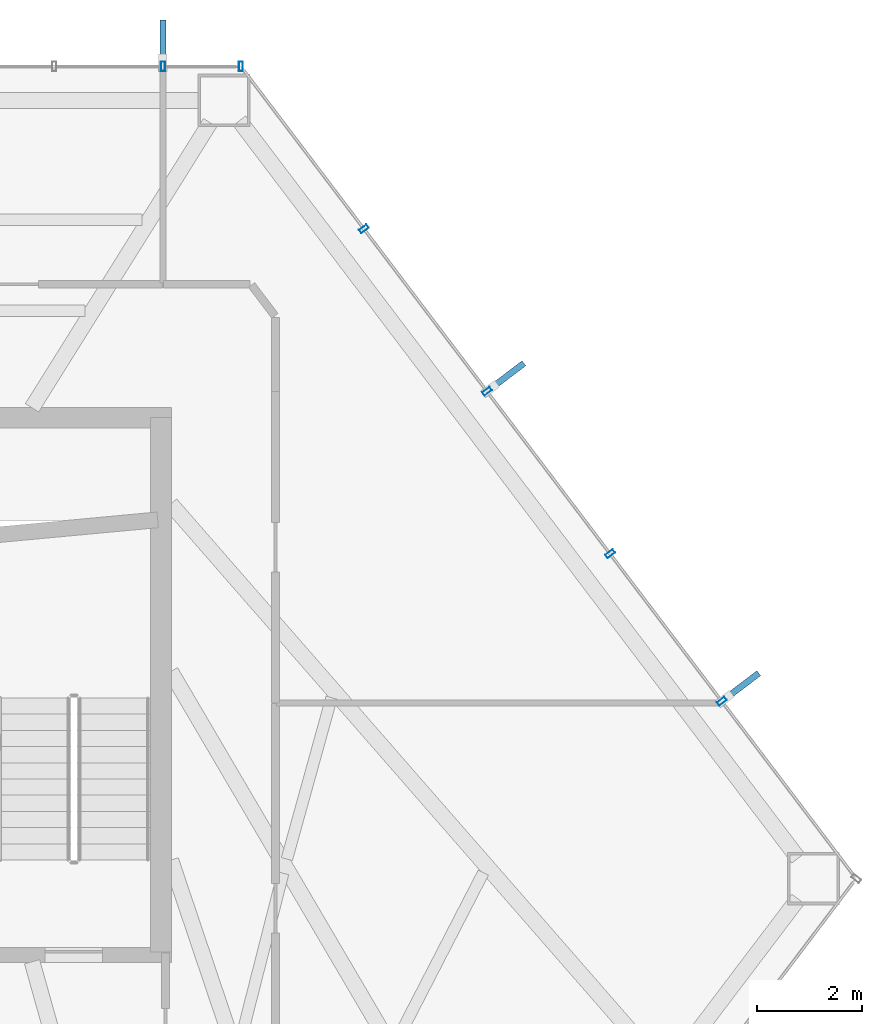
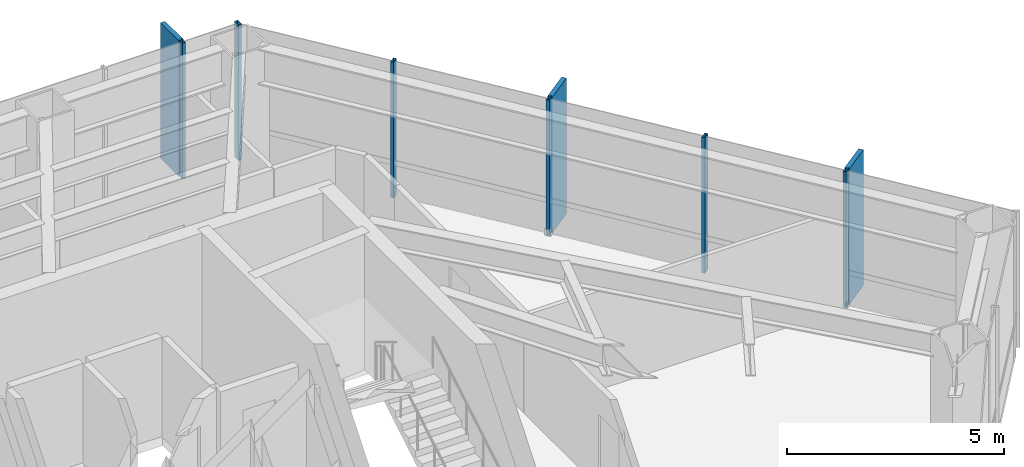
# One storey, part 21 of 26: 9 members, 2 elements without a shape of their own.
"""IFC4 building model written with IfcOpenShell, lengths in metres."""

import ifcopenshell
import ifcopenshell.guid

model = None  # the IFC model being written
_history = None  # IfcOwnerHistory: only IFC2X3 demands one
_inside = {}  # id of a spatial element -> (the spatial element, [elements in it])
_under = {}  # id of a project, library or spatial element -> (it, [spatial elements below it])
_declared = {}  # id of a project -> (the project, [libraries it declares])
_typed = {}  # id of a type object -> (the type object, [elements of that type])
_made_of = {}  # id of a material, layer set ... -> (it, [elements and type objects made of it])


def new_model(schema):
    """Start an empty IFC model of exactly this schema.

    Asked for "IFC4X3", IfcOpenShell would pick the latest addendum, in which some entities
    have other attributes; the version numbers below select the first issue.
    IFC2X3 requires an IfcOwnerHistory on every rooted entity: one is made here for all.
    """
    global model, _history
    if schema == "IFC4X3":
        model = ifcopenshell.file(schema_version=(4, 3, 0, 0))
    else:
        model = ifcopenshell.file(schema=schema)
    _inside.clear()
    _under.clear()
    _declared.clear()
    _typed.clear()
    _made_of.clear()
    _history = None
    if model.schema == "IFC2X3":
        org = make("IfcOrganization", Name="unknown")
        user = make(
            "IfcPersonAndOrganization",
            ThePerson=make("IfcPerson", FamilyName="unknown"),
            TheOrganization=org,
        )
        app = make(
            "IfcApplication",
            ApplicationDeveloper=org,
            Version="unknown",
            ApplicationFullName="unknown",
            ApplicationIdentifier="unknown",
        )
        _history = make(
            "IfcOwnerHistory",
            OwningUser=user,
            OwningApplication=app,
            ChangeAction="ADDED",
            CreationDate=0,
        )
    return model


def make(cls, **values):
    """One entity of the class cls with the attributes given. An attribute that is None is left unset."""
    return model.create_entity(
        cls, **{name: value for name, value in values.items() if value is not None}
    )


def rooted(cls, **values):
    """An entity with a GlobalId (a new one), such as an element, a storey or a relation."""
    return make(cls, GlobalId=ifcopenshell.guid.new(), OwnerHistory=_history, **values)


def si_unit(unit_type, name, prefix=None):
    """IfcSIUnit, for example si_unit("LENGTHUNIT", "METRE", prefix="MILLI")."""
    return make("IfcSIUnit", UnitType=unit_type, Prefix=prefix, Name=name)


def assignment(units):
    """IfcUnitAssignment: the units of a project."""
    return None if units is None else make("IfcUnitAssignment", Units=units)


def point(xyz):
    """IfcCartesianPoint."""
    return None if xyz is None else make("IfcCartesianPoint", Coordinates=xyz)


def direction(xyz):
    """IfcDirection."""
    return None if xyz is None else make("IfcDirection", DirectionRatios=xyz)


def frame(location, z_axis=None, x_axis=None):
    """IfcAxis2Placement3D, a coordinate frame: its origin and axes. An axis left out is left unset."""
    return make(
        "IfcAxis2Placement3D",
        Location=point(location),
        Axis=direction(z_axis),
        RefDirection=direction(x_axis),
    )


def frame_2d(location, x_axis=None):
    """IfcAxis2Placement2D, a coordinate frame in the plane: its origin and x axis."""
    return make(
        "IfcAxis2Placement2D", Location=point(location), RefDirection=direction(x_axis)
    )


def origin():
    """The frame at (0, 0, 0) with its axes left unset."""
    return frame((0.0, 0.0, 0.0))


def origin_2d():
    """The frame at (0, 0) in the plane with its x axis left unset."""
    return frame_2d((0.0, 0.0))


def place(relative_to, where):
    """IfcLocalPlacement: puts the frame where relative to a parent placement (None: the world)."""
    return make(
        "IfcLocalPlacement", PlacementRelTo=relative_to, RelativePlacement=where
    )


def context(
    kind, dimensions, precision=None, world=None, true_north=None, identifier=None
):
    """IfcGeometricRepresentationContext, for example the 3D "Model" context."""
    return make(
        "IfcGeometricRepresentationContext",
        ContextIdentifier=identifier,
        ContextType=kind,
        CoordinateSpaceDimension=dimensions,
        Precision=precision,
        WorldCoordinateSystem=world,
        TrueNorth=true_north,
    )


def subcontext(parent, identifier, kind, view, scale=None):
    """IfcGeometricRepresentationSubContext, for example "Body" below "Model"."""
    return make(
        "IfcGeometricRepresentationSubContext",
        ContextIdentifier=identifier,
        ContextType=kind,
        ParentContext=parent,
        TargetScale=scale,
        TargetView=view,
    )


def project(units=None, contexts=None):
    """IfcProject with its units and contexts."""
    return rooted(
        "IfcProject",
        Name="project",
        RepresentationContexts=contexts,
        UnitsInContext=assignment(units),
    )


def spatial(cls, under=None, at=None, **own):
    """A site, building, storey or space (cls), placed at a placement, below another one or the project."""
    s = rooted(cls, ObjectPlacement=at, **own)
    if under is not None:
        _under.setdefault(under.id(), (under, []))[1].append(s)
    return s


def profile(cls, at=None, kind="AREA", **sizes):
    """A parametric profile (cls). Its sizes go by their IFC names, for example OverallWidth=200.0."""
    return make(cls, ProfileType=kind, Position=at, **sizes)


def rectangle(**sizes):
    """IfcRectangleProfileDef."""
    return profile("IfcRectangleProfileDef", **sizes)


def hollow_rectangle(**sizes):
    """IfcRectangleHollowProfileDef."""
    return profile("IfcRectangleHollowProfileDef", **sizes)


def extrude(swept, where, along, depth):
    """IfcExtrudedAreaSolid: the profile swept, set in the frame where, extruded along a direction by depth."""
    return make(
        "IfcExtrudedAreaSolid",
        SweptArea=swept,
        Position=where,
        ExtrudedDirection=direction(along),
        Depth=depth,
    )


def shape(context_of_items, identifier, shape_type, items):
    """IfcShapeRepresentation: the items that make up one representation, for example the "Body"."""
    return make(
        "IfcShapeRepresentation",
        ContextOfItems=context_of_items,
        RepresentationIdentifier=identifier,
        RepresentationType=shape_type,
        Items=items,
    )


def material(Name=None, Category=None):
    """IfcMaterial."""
    return make("IfcMaterial", Name=Name, Category=Category)


def layer(
    of_material, thickness, ventilated=None, Name=None, Category=None, Priority=None
):
    """IfcMaterialLayer: one layer of a wall or slab, of a material (None: an air gap)."""
    return make(
        "IfcMaterialLayer",
        Material=of_material,
        LayerThickness=thickness,
        IsVentilated=ventilated,
        Name=Name,
        Category=Category,
        Priority=Priority,
    )


def layer_set(layers, Name=None):
    """IfcMaterialLayerSet."""
    return make("IfcMaterialLayerSet", MaterialLayers=layers, LayerSetName=Name)


def material_profile(
    of_material, cross_section, Name=None, Category=None, Priority=None
):
    """IfcMaterialProfile: a cross section and its material."""
    return make(
        "IfcMaterialProfile",
        Name=Name,
        Material=of_material,
        Profile=cross_section,
        Priority=Priority,
        Category=Category,
    )


def profile_set(profiles, Name=None, composite=None):
    """IfcMaterialProfileSet."""
    return make(
        "IfcMaterialProfileSet",
        Name=Name,
        MaterialProfiles=profiles,
        CompositeProfile=composite,
    )


def made_of(thing, what):
    """Note that an element or type object is made of a material, layer set ...; save() writes the relation."""
    if what is not None:
        _made_of.setdefault(what.id(), (what, []))[1].append(thing)
    return thing


def type_object(cls, material=None, **own):
    """A type object (cls), such as IfcWallType, which elements share."""
    return made_of(rooted(cls, **own), material)


def element(
    cls,
    number,
    at=None,
    inside=None,
    cuts=None,
    type_object=None,
    material=None,
    context=None,
    identifier="Body",
    shape_type=None,
    held_by="IfcProductDefinitionShape",
    body=None,
    shapes=None,
    **own,
):
    """One element of the class cls, such as IfcWall. Its Tag is "e" and its number.

    at: its placement. inside: the storey or other place that contains it. cuts: it is an
    opening in that element (IfcRelVoidsElement). A single representation is given by context,
    identifier, shape_type and body (its items); several are given by shapes. held_by: the class
    of the entity that holds the representations. save() writes the other relations.
    """
    e = rooted(cls, Tag="e%d" % number, ObjectPlacement=at, **own)
    if body is not None:
        shapes = [shape(context, identifier, shape_type, body)]
    if shapes is not None:
        e.Representation = make(held_by, Representations=shapes)
    if inside is not None:
        _inside.setdefault(inside.id(), (inside, []))[1].append(e)
    if cuts is not None:
        rooted(
            "IfcRelVoidsElement", RelatingBuildingElement=cuts, RelatedOpeningElement=e
        )
    if type_object is not None:
        _typed.setdefault(type_object.id(), (type_object, []))[1].append(e)
    return made_of(e, material)


def aggregate(whole, parts):
    """IfcRelAggregates: a whole, such as a stair, and the parts it consists of."""
    return rooted("IfcRelAggregates", RelatingObject=whole, RelatedObjects=parts)


def save(model, path):
    """Write the relations noted so far, then the file.

    IfcRelAggregates (storeys below a building ...), IfcRelContainedInSpatialStructure (elements
    in a storey), IfcRelDefinesByType, IfcRelAssociatesMaterial and IfcRelDeclares: one each for
    every whole, place, type object, material and project.
    """
    for whole, parts in _under.values():
        aggregate(whole, parts)
    for where, things in _inside.values():
        rooted(
            "IfcRelContainedInSpatialStructure",
            RelatedElements=things,
            RelatingStructure=where,
        )
    for kind, things in _typed.values():
        rooted("IfcRelDefinesByType", RelatedObjects=things, RelatingType=kind)
    for what, things in _made_of.values():
        rooted("IfcRelAssociatesMaterial", RelatedObjects=things, RelatingMaterial=what)
    for by, libraries in _declared.values():
        rooted("IfcRelDeclares", RelatingContext=by, RelatedDefinitions=libraries)
    model.write(path)


model = new_model("IFC4")

# Units and contexts
model_context = context("Model", 3, precision=1e-05, world=origin(), true_north=direction((0.0, 1.0)))
body_context = subcontext(model_context, "Body", "Model", "MODEL_VIEW")
ifc_project = project(units=[si_unit("LENGTHUNIT", "METRE"), si_unit("AREAUNIT", "SQUARE_METRE"), si_unit("VOLUMEUNIT", "CUBIC_METRE"), si_unit("PLANEANGLEUNIT", "RADIAN"), si_unit("MASSUNIT", "GRAM", prefix="KILO")], contexts=[model_context])

# Site, building, storey
site_placement = place(None, origin())
site = spatial("IfcSite", under=ifc_project, at=site_placement, CompositionType="ELEMENT")
building_placement = place(site_placement, origin())
building = spatial("IfcBuilding", under=site, at=building_placement, Name="Zarrinselat Tower", CompositionType="ELEMENT")
storey_placement = place(building_placement, frame((0.0, 0.0, 31.6201171875)))
storey = spatial("IfcBuildingStorey", under=building, at=storey_placement, Name="L07", CompositionType="ELEMENT", Elevation=31.6201171875)

# Curtain wall, members
ifc_material_1 = material(Name="Extruded Aluminium Alloy EN AW-6063 T6", Category="aluminium")
ifc_layer = layer(ifc_material_1, 0.18505859375)
ifc_layer_set = layer_set([ifc_layer], Name="Extruded Aluminium Alloy EN AW-6063 T6")
curtain_wall_type = type_object("IfcCurtainWallType", Name="CWS-OFF", PredefinedType="NOTDEFINED", material=ifc_layer_set)
curtain_wall_1_placement = place(storey_placement, origin())
curtain_wall_1 = element("IfcCurtainWall", 1, at=curtain_wall_1_placement, inside=storey, type_object=curtain_wall_type, Name="L07 Unitised Curtain Wall CW-L07-E01", PredefinedType="NOTDEFINED")
ifc_material_2 = material(Name="Extruded Aluminium Alloy EN AW-6063 T6", Category="aluminium")
ifc_material_profile_1 = material_profile(ifc_material_2, hollow_rectangle(XDim=0.080078125, YDim=0.179931640625, WallThickness=0.0048828125, at=origin_2d()), Name="RHS 180x80x5")
ifc_profile_set_1 = profile_set([ifc_material_profile_1], Name="Extruded Aluminium Alloy EN AW-6063 T6")
member_type_1 = type_object("IfcMemberType", Name="MEM-CW-MUL", PredefinedType="MULLION", material=ifc_profile_set_1)
member_1_placement = place(storey_placement, frame((49.789306640625, 50.1611328125, 0.0), z_axis=(0.0, 0.0, 1.0), x_axis=(-1.0, 0.0, 0.0)))
member_1 = element("IfcMember", 2, at=member_1_placement, type_object=member_type_1, Name="CW-L07-E01 Mullion 0", PredefinedType="MULLION", context=body_context, shape_type="SweptSolid", body=[
    extrude(hollow_rectangle(XDim=0.080078125, YDim=0.179931640625, WallThickness=0.0048828125, at=origin_2d()), origin(), (0.0, 0.0, 1.0), 3.81982421875),
])
member_2_placement = place(storey_placement, frame((48.300048828125, 50.1611328125, 0.0), z_axis=(0.0, 0.0, 1.0), x_axis=(-1.0, 0.0, 0.0)))
member_2 = element("IfcMember", 3, at=member_2_placement, type_object=member_type_1, Name="CW-L07-E01 Mullion 1", PredefinedType="MULLION", context=body_context, shape_type="SweptSolid", body=[
    extrude(hollow_rectangle(XDim=0.080078125, YDim=0.179931640625, WallThickness=0.0048828125, at=origin_2d()), origin(), (0.0, 0.0, 1.0), 3.81982421875),
])

curtain_wall_2_placement = place(storey_placement, origin())
curtain_wall_2 = element("IfcCurtainWall", 4, at=curtain_wall_2_placement, inside=storey, type_object=curtain_wall_type, Name="L07 Unitised Curtain Wall CW-L07-E06", PredefinedType="NOTDEFINED")
member_3_placement = place(storey_placement, frame((58.974853515625, 38.0361328125, 0.0), z_axis=(0.0, 0.0, 1.0), x_axis=(-0.603858578341, 0.797091473649, 0.0)))
member_3 = element("IfcMember", 5, at=member_3_placement, type_object=member_type_1, Name="CW-L07-E06 Mullion 1", PredefinedType="MULLION", context=body_context, shape_type="SweptSolid", body=[
    extrude(hollow_rectangle(XDim=0.080078125, YDim=0.179931640625, WallThickness=0.0048828125, at=origin_2d()), origin(), (0.0, 0.0, 1.0), 3.81982421875),
])
member_4_placement = place(storey_placement, frame((56.8408203125, 40.853271484375, 0.0), z_axis=(0.0, 0.0, 1.0), x_axis=(-0.603858578341, 0.797091473649, 0.0)))
member_4 = element("IfcMember", 6, at=member_4_placement, type_object=member_type_1, Name="CW-L07-E06 Mullion 2", PredefinedType="MULLION", context=body_context, shape_type="SweptSolid", body=[
    extrude(hollow_rectangle(XDim=0.080078125, YDim=0.179931640625, WallThickness=0.0048828125, at=origin_2d()), origin(), (0.0, 0.0, 1.0), 3.81982421875),
])
member_5_placement = place(storey_placement, frame((54.490234375, 43.955810546875, 0.0), z_axis=(0.0, 0.0, 1.0), x_axis=(-0.603858578341, 0.797091473649, 0.0)))
member_5 = element("IfcMember", 7, at=member_5_placement, type_object=member_type_1, Name="CW-L07-E06 Mullion 3", PredefinedType="MULLION", context=body_context, shape_type="SweptSolid", body=[
    extrude(hollow_rectangle(XDim=0.080078125, YDim=0.179931640625, WallThickness=0.0048828125, at=origin_2d()), origin(), (0.0, 0.0, 1.0), 3.81982421875),
])
member_6_placement = place(storey_placement, frame((52.139892578125, 47.05859375, 0.0), z_axis=(0.0, 0.0, 1.0), x_axis=(-0.603858578341, 0.797091473649, 0.0)))
member_6 = element("IfcMember", 8, at=member_6_placement, type_object=member_type_1, Name="CW-L07-E06 Mullion 4", PredefinedType="MULLION", context=body_context, shape_type="SweptSolid", body=[
    extrude(hollow_rectangle(XDim=0.080078125, YDim=0.179931640625, WallThickness=0.0048828125, at=origin_2d()), origin(), (0.0, 0.0, 1.0), 3.81982421875),
])

# Member
ifc_material_3 = material(Name="Honed Cream Travertine Stone", Category="masonry")
ifc_material_profile_2 = material_profile(ifc_material_3, rectangle(XDim=0.1201171875, YDim=0.85009765625, at=origin_2d()), Name="FIN 850x120")
ifc_profile_set_2 = profile_set([ifc_material_profile_2], Name="Honed Cream Travertine Stone")
member_type_2 = type_object("IfcMemberType", Name="MEM-STONE-FIN", PredefinedType="USERDEFINED", material=ifc_profile_set_2)
member_7_placement = place(storey_placement, frame((48.300048828125, 50.62109375, 0.0), z_axis=(0.0, 0.0, 1.0), x_axis=(1.0, 0.0, 0.0)))
member_7 = element("IfcMember", 9, at=member_7_placement, type_object=member_type_2, Name="L07 Stone Shading Fin CW-L07-E01-01", ObjectType="FIN", PredefinedType="USERDEFINED", context=body_context, shape_type="SweptSolid", body=[
    extrude(rectangle(XDim=0.1201171875, YDim=0.85009765625, at=origin_2d()), origin(), (0.0, 0.0, 1.0), 3.81982421875),
])

aggregate(curtain_wall_1, [member_1, member_2, member_7])

member_8_placement = place(storey_placement, frame((59.341552734375, 38.31396484375, 0.0), z_axis=(0.0, 0.0, 1.0), x_axis=(0.603858578341, -0.797091473649, 0.0)))
member_8 = element("IfcMember", 10, at=member_8_placement, type_object=member_type_2, Name="L07 Stone Shading Fin CW-L07-E06-01", ObjectType="FIN", PredefinedType="USERDEFINED", context=body_context, shape_type="SweptSolid", body=[
    extrude(rectangle(XDim=0.1201171875, YDim=0.85009765625, at=origin_2d()), origin(), (0.0, 0.0, 1.0), 3.81982421875),
])

member_9_placement = place(storey_placement, frame((54.85693359375, 44.233642578125, 0.0), z_axis=(0.0, 0.0, 1.0), x_axis=(0.603858578341, -0.797091473649, 0.0)))
member_9 = element("IfcMember", 11, at=member_9_placement, type_object=member_type_2, Name="L07 Stone Shading Fin CW-L07-E06-03", ObjectType="FIN", PredefinedType="USERDEFINED", context=body_context, shape_type="SweptSolid", body=[
    extrude(rectangle(XDim=0.1201171875, YDim=0.85009765625, at=origin_2d()), origin(), (0.0, 0.0, 1.0), 3.81982421875),
])

aggregate(curtain_wall_2, [member_3, member_8, member_4, member_5, member_9, member_6])

save(model, "model.ifc")
